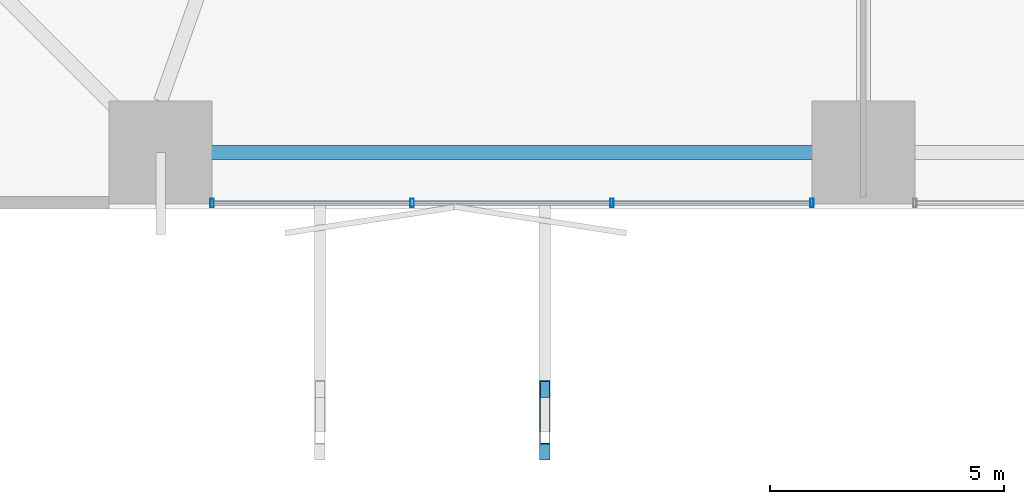
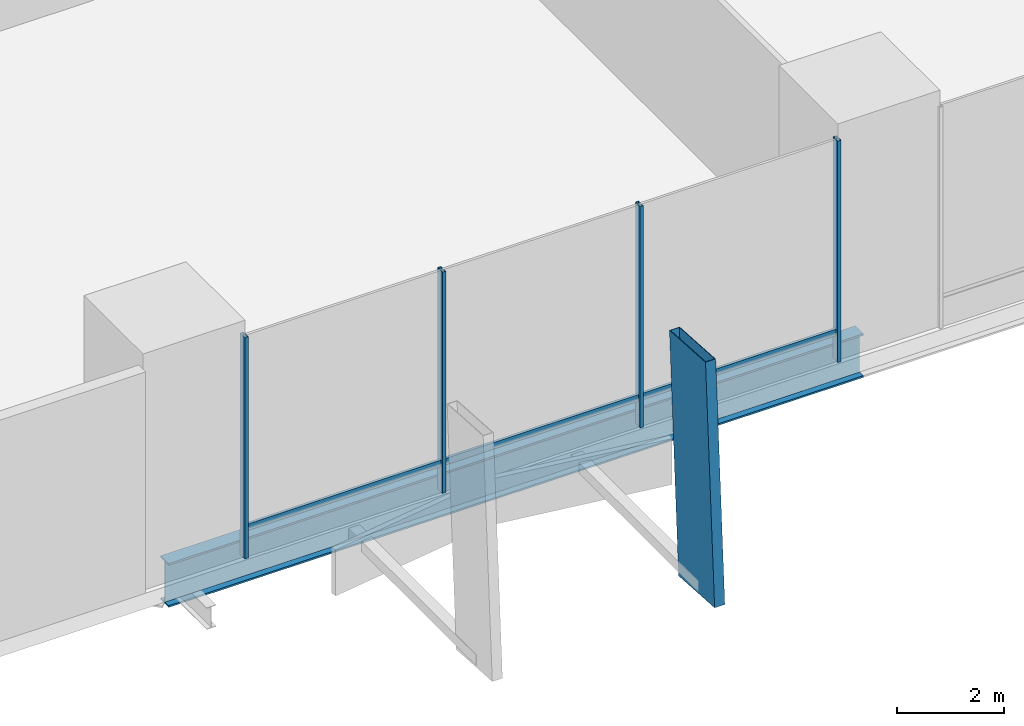
# One storey, part 2 of 24: 8 members, 1 beam, 1 element without a shape of its own.
"""IFC4 building model written with IfcOpenShell, lengths in metres."""

from ifc_helpers import new_model, si_unit, direction, frame, origin, origin_2d, place, context, subcontext, project, spatial, hollow_rectangle, i_section, extrude, material, layer, layer_set, material_profile, profile_set, type_object, element, aggregate, save


model = new_model("IFC4")

# Units and contexts
model_context = context("Model", 3, precision=1e-05, world=origin(), true_north=direction((0.0, 1.0)))
body_context = subcontext(model_context, "Body", "Model", "MODEL_VIEW")
ifc_project = project(units=[si_unit("LENGTHUNIT", "METRE"), si_unit("AREAUNIT", "SQUARE_METRE"), si_unit("VOLUMEUNIT", "CUBIC_METRE"), si_unit("PLANEANGLEUNIT", "RADIAN"), si_unit("MASSUNIT", "GRAM", prefix="KILO")], contexts=[model_context])

# Site, building, storey
site_placement = place(None, origin())
site = spatial("IfcSite", under=ifc_project, at=site_placement, CompositionType="ELEMENT")
building_placement = place(site_placement, origin())
building = spatial("IfcBuilding", under=site, at=building_placement, Name="Belovzor Exchange Tower", CompositionType="ELEMENT")
storey_placement = place(building_placement, frame((0.0, 0.0, 8.39990234375)))
storey = spatial("IfcBuildingStorey", under=building, at=storey_placement, Name="L02", CompositionType="ELEMENT", Elevation=8.39990234375)

# Member
ifc_material_1 = material(Name="Extruded Architectural Terracotta on Steel S355 Carrier", Category="masonry")
ifc_material_profile_1 = material_profile(ifc_material_1, hollow_rectangle(XDim=0.219970703125, YDim=1.35009765625, WallThickness=0.013916015625, at=origin_2d()))
ifc_profile_set_1 = profile_set([ifc_material_profile_1], Name="Extruded Architectural Terracotta on Steel S355 Carrier")
member_type_1 = type_object("IfcMemberType", Name="Base Arc Sweeping Terracotta Pylon Fin 1450", PredefinedType="USERDEFINED", material=ifc_profile_set_1)
member_1_placement = place(storey_placement, frame((22.0, -4.0810546875, -0.349853515625), z_axis=(0.0, 0.063035616034, 0.998011278048), x_axis=(-1.0, 0.0, 0.0)))
element("IfcMember", 1, at=member_1_placement, inside=storey, type_object=member_type_1, Name="FIN-TC145 Terracotta Facade Fin L02 S2", ObjectType="FIN", PredefinedType="USERDEFINED", context=body_context, shape_type="SweptSolid", body=[
    extrude(hollow_rectangle(XDim=0.219970703125, YDim=1.35009765625, WallThickness=0.013916015625, at=origin_2d()), origin(), (0.0, 0.0, 1.0), 5.41064453125),
])

# Beam
ifc_material_2 = material(Name="Steel S460", Category="steel")
ifc_material_profile_2 = material_profile(ifc_material_2, i_section(OverallWidth=0.300048828125, OverallDepth=1.0, WebThickness=0.02099609375, FlangeThickness=0.0400390625, at=origin_2d()))
ifc_profile_set_2 = profile_set([ifc_material_profile_2], Name="Steel S460")
beam_type = type_object("IfcBeamType", Name="Podium Exchange Hall Ring Girder HEM 1000", PredefinedType="BEAM", material=ifc_profile_set_2)
beam_placement = place(storey_placement, frame((13.800048828125, 1.800048828125, -0.849853515625), z_axis=(1.0, 0.0, 0.0), x_axis=(0.0, 1.0, 0.0)))
element("IfcBeam", 2, at=beam_placement, inside=storey, type_object=beam_type, Name="PG-1 Podium Exchange Hall Ring Girder HEM 1000", PredefinedType="BEAM", context=body_context, shape_type="SweptSolid", body=[
    extrude(i_section(OverallWidth=0.300048828125, OverallDepth=1.0, WebThickness=0.02099609375, FlangeThickness=0.0400390625, at=origin_2d()), origin(), (0.0, 0.0, 1.0), 15.0),
])

# Curtain wall, members
ifc_material_3 = material(Name="Anodised Aluminium Framing", Category="aluminium")
ifc_layer = layer(ifc_material_3, 0.219970703125)
ifc_layer_set = layer_set([ifc_layer], Name="Anodised Aluminium Framing")
curtain_wall_type = type_object("IfcCurtainWallType", Name="Podium Clear-Span Exchange Hall Unitised Curtain Wall", PredefinedType="NOTDEFINED", material=ifc_layer_set)
curtain_wall_placement = place(storey_placement, origin())
curtain_wall = element("IfcCurtainWall", 3, at=curtain_wall_placement, inside=storey, type_object=curtain_wall_type, Name="CW1 Podium Clear-Span Exchange Hall Unitised Curtain Wall L02", PredefinedType="NOTDEFINED")
ifc_material_4 = material(Name="Steel S355", Category="steel")
ifc_material_profile_3 = material_profile(ifc_material_4, hollow_rectangle(XDim=0.074951171875, YDim=0.179931640625, WallThickness=0.0048828125, at=origin_2d()))
ifc_profile_set_3 = profile_set([ifc_material_profile_3], Name="Steel S355")
member_type_2 = type_object("IfcMemberType", Name="Thermally Broken Curtain Wall Mullion 180x75", PredefinedType="MULLION", material=ifc_profile_set_3)
member_2_placement = place(storey_placement, frame((27.699951171875, 0.72998046875, 0.0), z_axis=(0.0, 0.0, 1.0), x_axis=(-1.0, 0.0, 0.0)))
member_2 = element("IfcMember", 4, at=member_2_placement, type_object=member_type_2, Name="CW-M180 Curtain Wall Mullion 1", PredefinedType="MULLION", context=body_context, shape_type="SweptSolid", body=[
    extrude(hollow_rectangle(XDim=0.074951171875, YDim=0.179931640625, WallThickness=0.0048828125, at=origin_2d()), origin(), (0.0, 0.0, 1.0), 5.050048828125),
])
member_3_placement = place(storey_placement, frame((23.43310546875, 0.72998046875, 0.0), z_axis=(0.0, 0.0, 1.0), x_axis=(-1.0, 0.0, 0.0)))
member_3 = element("IfcMember", 5, at=member_3_placement, type_object=member_type_2, Name="CW-M180 Curtain Wall Mullion 2", PredefinedType="MULLION", context=body_context, shape_type="SweptSolid", body=[
    extrude(hollow_rectangle(XDim=0.074951171875, YDim=0.179931640625, WallThickness=0.0048828125, at=origin_2d()), origin(), (0.0, 0.0, 1.0), 5.050048828125),
])
member_4_placement = place(storey_placement, frame((19.1669921875, 0.72998046875, 0.0), z_axis=(0.0, 0.0, 1.0), x_axis=(-1.0, 0.0, 0.0)))
member_4 = element("IfcMember", 6, at=member_4_placement, type_object=member_type_2, Name="CW-M180 Curtain Wall Mullion 3", PredefinedType="MULLION", context=body_context, shape_type="SweptSolid", body=[
    extrude(hollow_rectangle(XDim=0.074951171875, YDim=0.179931640625, WallThickness=0.0048828125, at=origin_2d()), origin(), (0.0, 0.0, 1.0), 5.050048828125),
])
member_5_placement = place(storey_placement, frame((14.89990234375, 0.72998046875, 0.0), z_axis=(0.0, 0.0, 1.0), x_axis=(-1.0, 0.0, 0.0)))
member_5 = element("IfcMember", 7, at=member_5_placement, type_object=member_type_2, Name="CW-M180 Curtain Wall Mullion 4", PredefinedType="MULLION", context=body_context, shape_type="SweptSolid", body=[
    extrude(hollow_rectangle(XDim=0.074951171875, YDim=0.179931640625, WallThickness=0.0048828125, at=origin_2d()), origin(), (0.0, 0.0, 1.0), 5.050048828125),
])
ifc_material_5 = material(Name="Steel S355", Category="steel")
ifc_material_profile_4 = material_profile(ifc_material_5, hollow_rectangle(XDim=0.06005859375, YDim=0.14990234375, WallThickness=0.00390625, at=origin_2d()))
ifc_profile_set_4 = profile_set([ifc_material_profile_4], Name="Steel S355")
member_type_3 = type_object("IfcMemberType", Name="Thermally Broken Curtain Wall Transom 150x60", PredefinedType="USERDEFINED", material=ifc_profile_set_4)
member_6_placement = place(storey_placement, frame((27.69189453125, 0.72998046875, 0.650146484375), z_axis=(-1.0, 0.0, 0.0), x_axis=(0.0, -1.0, 0.0)))
member_6 = element("IfcMember", 8, at=member_6_placement, type_object=member_type_3, Name="CW-T150 Curtain Wall Transom 1", ObjectType="TRANSOM", PredefinedType="USERDEFINED", context=body_context, shape_type="SweptSolid", body=[
    extrude(hollow_rectangle(XDim=0.06005859375, YDim=0.14990234375, WallThickness=0.00390625, at=origin_2d()), origin(), (0.0, 0.0, 1.0), 4.2509765625),
])
member_7_placement = place(storey_placement, frame((23.425048828125, 0.72998046875, 0.650146484375), z_axis=(-1.0, 0.0, 0.0), x_axis=(0.0, -1.0, 0.0)))
member_7 = element("IfcMember", 9, at=member_7_placement, type_object=member_type_3, Name="CW-T150 Curtain Wall Transom 2", ObjectType="TRANSOM", PredefinedType="USERDEFINED", context=body_context, shape_type="SweptSolid", body=[
    extrude(hollow_rectangle(XDim=0.06005859375, YDim=0.14990234375, WallThickness=0.00390625, at=origin_2d()), origin(), (0.0, 0.0, 1.0), 4.25),
])
member_8_placement = place(storey_placement, frame((19.158935546875, 0.72998046875, 0.650146484375), z_axis=(-1.0, 0.0, 0.0), x_axis=(0.0, -1.0, 0.0)))
member_8 = element("IfcMember", 10, at=member_8_placement, type_object=member_type_3, Name="CW-T150 Curtain Wall Transom 3", ObjectType="TRANSOM", PredefinedType="USERDEFINED", context=body_context, shape_type="SweptSolid", body=[
    extrude(hollow_rectangle(XDim=0.06005859375, YDim=0.14990234375, WallThickness=0.00390625, at=origin_2d()), origin(), (0.0, 0.0, 1.0), 4.2509765625),
])
aggregate(curtain_wall, [member_2, member_3, member_4, member_5, member_6, member_7, member_8])

save(model, "model.ifc")
